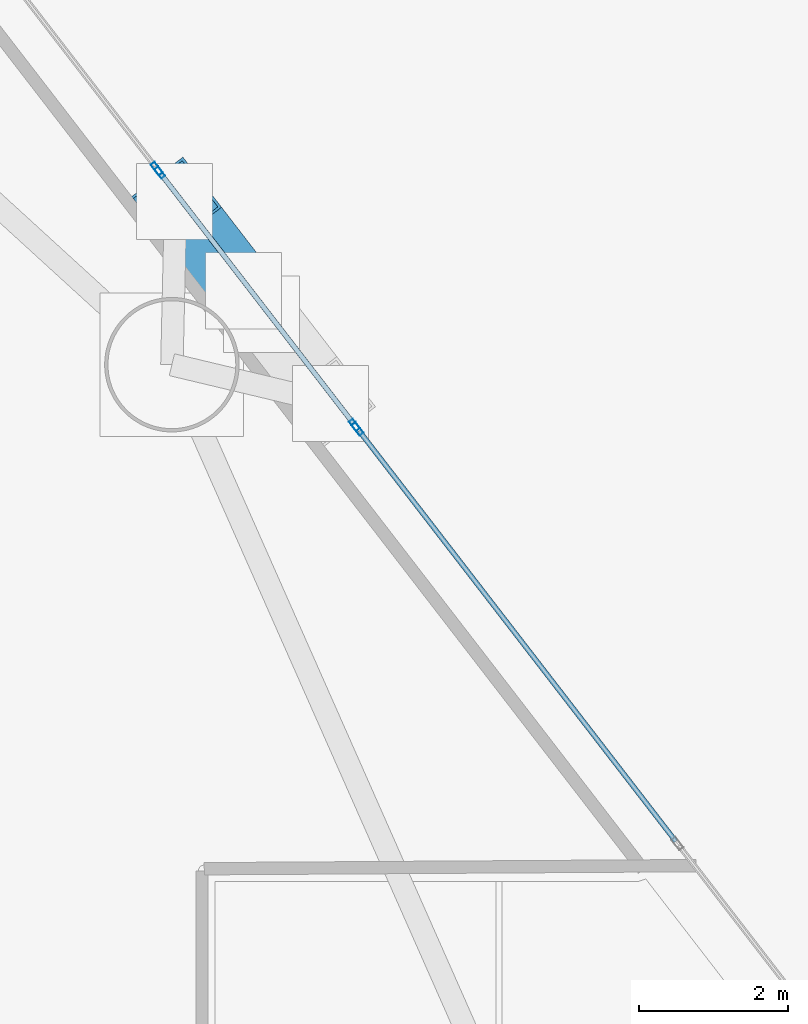
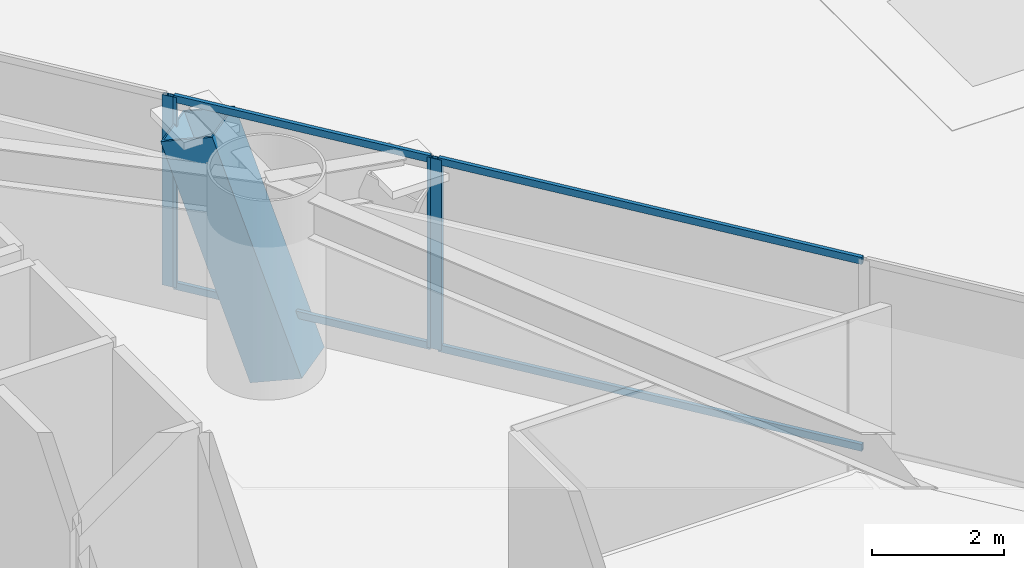
# One storey, part 13 of 22: 9 members, 3 elements without a shape of their own.
"""IFC4 building model written with IfcOpenShell, lengths in metres."""

from ifc_helpers import new_model, si_unit, direction, frame, origin, origin_2d, place, context, subcontext, project, spatial, hollow_rectangle, extrude, material, layer, layer_set, material_profile, profile_set, type_object, element, aggregate, save


model = new_model("IFC4")

# Units and contexts
model_context = context("Model", 3, precision=1e-05, world=origin(), true_north=direction((0.0, 1.0)))
body_context = subcontext(model_context, "Body", "Model", "MODEL_VIEW")
ifc_project = project(units=[si_unit("LENGTHUNIT", "METRE"), si_unit("AREAUNIT", "SQUARE_METRE"), si_unit("VOLUMEUNIT", "CUBIC_METRE"), si_unit("PLANEANGLEUNIT", "RADIAN"), si_unit("MASSUNIT", "GRAM", prefix="KILO")], contexts=[model_context])

# Site, building, storey
site_placement = place(None, origin())
site = spatial("IfcSite", under=ifc_project, at=site_placement, CompositionType="ELEMENT")
building_placement = place(site_placement, origin())
building = spatial("IfcBuilding", under=site, at=building_placement, Name="Qianvela Tower", CompositionType="ELEMENT")
storey_placement = place(building_placement, frame((0.0, 0.0, 25.699951171875)))
storey = spatial("IfcBuildingStorey", under=building, at=storey_placement, Name="L05", CompositionType="ELEMENT", Elevation=25.699951171875)

# Curtain wall, members
ifc_material_1 = material(Name="Anodised Architectural Aluminium and Insulated Spandrel Panel", Category="aluminium")
ifc_layer_1 = layer(ifc_material_1, 0.179931640625)
ifc_layer_set_1 = layer_set([ifc_layer_1], Name="Anodised Architectural Aluminium and Insulated Spandrel Panel")
curtain_wall_type_1 = type_object("IfcCurtainWallType", Name="CW-BRACEBAY", PredefinedType="USERDEFINED", material=ifc_layer_set_1)
curtain_wall_1_placement = place(storey_placement, origin())
curtain_wall_1 = element("IfcCurtainWall", 1, at=curtain_wall_1_placement, inside=storey, type_object=curtain_wall_type_1, Name="L05 CW-BRACEBAY Curtain Wall 02B", ObjectType="CURTAIN_WALL_SYSTEM", PredefinedType="USERDEFINED")
ifc_material_2 = material(Name="Anodised Architectural Aluminium 6063-T6", Category="aluminium")
ifc_material_profile_1 = material_profile(ifc_material_2, hollow_rectangle(XDim=0.06494140625, YDim=0.159912109375, WallThickness=0.0048828125, at=origin_2d()), Name="ALU-MULL-65x160")
ifc_profile_set_1 = profile_set([ifc_material_profile_1], Name="Anodised Architectural Aluminium 6063-T6")
member_type_1 = type_object("IfcMemberType", Name="CW-BRACEBAY-MULL", PredefinedType="MULLION", material=ifc_profile_set_1)
member_1_placement = place(storey_placement, frame((50.179443359375, 31.83154296875, 0.0), z_axis=(0.0, 0.0, 1.0), x_axis=(-0.791778426126, -0.610808418345, 0.0)))
member_1 = element("IfcMember", 2, at=member_1_placement, type_object=member_type_1, Name="CW-9 mullion 1", PredefinedType="MULLION", context=body_context, shape_type="SweptSolid", body=[
    extrude(hollow_rectangle(XDim=0.06494140625, YDim=0.159912109375, WallThickness=0.0048828125, at=origin_2d()), origin(), (0.0, 0.0, 1.0), 3.52001953125),
])
member_2_placement = place(storey_placement, frame((47.57421875, 35.20849609375, 0.0), z_axis=(0.0, 0.0, 1.0), x_axis=(-0.791778426126, -0.610808418345, 0.0)))
member_2 = element("IfcMember", 3, at=member_2_placement, type_object=member_type_1, Name="CW-9 mullion 2", PredefinedType="MULLION", context=body_context, shape_type="SweptSolid", body=[
    extrude(hollow_rectangle(XDim=0.06494140625, YDim=0.159912109375, WallThickness=0.0048828125, at=origin_2d()), origin(), (0.0, 0.0, 1.0), 3.52001953125),
])
ifc_material_3 = material(Name="Anodised Architectural Aluminium 6063-T6", Category="aluminium")
ifc_material_profile_2 = material_profile(ifc_material_3, hollow_rectangle(XDim=0.06494140625, YDim=0.1298828125, WallThickness=0.00439453125, at=origin_2d()), Name="ALU-TRAN-65x130")
ifc_profile_set_2 = profile_set([ifc_material_profile_2], Name="Anodised Architectural Aluminium 6063-T6")
member_type_2 = type_object("IfcMemberType", Name="CW-BRACEBAY-TRAN", PredefinedType="USERDEFINED", material=ifc_profile_set_2)
member_3_placement = place(storey_placement, frame((50.159423828125, 31.857177734375, 0.032470703125), z_axis=(-0.610816989814, 0.79177181369, 0.0), x_axis=(-0.79177181369, -0.610816989814, 0.0)))
member_3 = element("IfcMember", 4, at=member_3_placement, type_object=member_type_2, Name="CW-9 transom 1.1", ObjectType="TRANSOM", PredefinedType="USERDEFINED", context=body_context, shape_type="SweptSolid", body=[
    extrude(hollow_rectangle(XDim=0.06494140625, YDim=0.1298828125, WallThickness=0.00439453125, at=origin_2d()), origin(), (0.0, 0.0, 1.0), 4.199951171875),
])
member_4_placement = place(storey_placement, frame((50.159423828125, 31.857177734375, 3.487548828125), z_axis=(-0.610816989814, 0.79177181369, 0.0), x_axis=(-0.79177181369, -0.610816989814, 0.0)))
member_4 = element("IfcMember", 5, at=member_4_placement, type_object=member_type_2, Name="CW-9 transom 1.2", ObjectType="TRANSOM", PredefinedType="USERDEFINED", context=body_context, shape_type="SweptSolid", body=[
    extrude(hollow_rectangle(XDim=0.06494140625, YDim=0.1298828125, WallThickness=0.00439453125, at=origin_2d()), origin(), (0.0, 0.0, 1.0), 4.199951171875),
])
aggregate(curtain_wall_1, [member_1, member_2, member_3, member_4])

# Curtain wall, member
ifc_material_4 = material(Name="Anodised Architectural Aluminium and Low-E Glass", Category="aluminium")
ifc_layer_2 = layer(ifc_material_4, 0.179931640625)
ifc_layer_set_2 = layer_set([ifc_layer_2], Name="Anodised Architectural Aluminium and Low-E Glass")
curtain_wall_type_2 = type_object("IfcCurtainWallType", Name="CW-COLIV-Z12", PredefinedType="USERDEFINED", material=ifc_layer_set_2)
curtain_wall_2_placement = place(storey_placement, origin())
curtain_wall_2 = element("IfcCurtainWall", 6, at=curtain_wall_2_placement, inside=storey, type_object=curtain_wall_type_2, Name="L05 CW-COLIV-Z12 Curtain Wall 02A", ObjectType="CURTAIN_WALL_SYSTEM", PredefinedType="USERDEFINED")
ifc_material_5 = material(Name="Anodised Architectural Aluminium 6063-T6", Category="aluminium")
ifc_material_profile_3 = material_profile(ifc_material_5, hollow_rectangle(XDim=0.070068359375, YDim=0.179931640625, WallThickness=0.0048828125, at=origin_2d()), Name="ALU-MULL-70x180")
ifc_profile_set_3 = profile_set([ifc_material_profile_3], Name="Anodised Architectural Aluminium 6063-T6")
member_type_3 = type_object("IfcMemberType", Name="CW-COLIV-Z12-MULL", PredefinedType="MULLION", material=ifc_profile_set_3)
member_5_placement = place(storey_placement, frame((50.220458984375, 31.778076171875, 0.0), z_axis=(0.0, 0.0, 1.0), x_axis=(-0.791788928882, -0.610794803596, 0.0)))
member_5 = element("IfcMember", 7, at=member_5_placement, type_object=member_type_3, Name="CW-3 mullion 3", PredefinedType="MULLION", context=body_context, shape_type="SweptSolid", body=[
    extrude(hollow_rectangle(XDim=0.070068359375, YDim=0.179931640625, WallThickness=0.0048828125, at=origin_2d()), origin(), (0.0, 0.0, 1.0), 3.52001953125),
])

curtain_wall_3_placement = place(storey_placement, origin())
curtain_wall_3 = element("IfcCurtainWall", 8, at=curtain_wall_3_placement, inside=storey, type_object=curtain_wall_type_2, Name="L05 CW-COLIV-Z12 Curtain Wall 02C", ObjectType="CURTAIN_WALL_SYSTEM", PredefinedType="USERDEFINED")
member_6_placement = place(storey_placement, frame((47.532958984375, 35.261962890625, 0.0), z_axis=(0.0, 0.0, 1.0), x_axis=(-0.79178635967, -0.610798134117, 0.0)))
member_6 = element("IfcMember", 9, at=member_6_placement, type_object=member_type_3, Name="CW-3 mullion 1", PredefinedType="MULLION", context=body_context, shape_type="SweptSolid", body=[
    extrude(hollow_rectangle(XDim=0.070068359375, YDim=0.179931640625, WallThickness=0.0048828125, at=origin_2d()), origin(), (0.0, 0.0, 1.0), 3.52001953125),
])
aggregate(curtain_wall_3, [member_6])

# Member
ifc_material_6 = material(Name="Anodised Architectural Aluminium 6063-T6", Category="aluminium")
ifc_material_profile_4 = material_profile(ifc_material_6, hollow_rectangle(XDim=0.06494140625, YDim=0.1298828125, WallThickness=0.00439453125, at=origin_2d()), Name="ALU-TRAN-65x130")
ifc_profile_set_4 = profile_set([ifc_material_profile_4], Name="Anodised Architectural Aluminium 6063-T6")
member_type_4 = type_object("IfcMemberType", Name="CW-COLIV-Z12-TRAN", PredefinedType="USERDEFINED", material=ifc_profile_set_4)
member_7_placement = place(storey_placement, frame((54.477783203125, 26.25927734375, 0.032470703125), z_axis=(-0.610782014839, 0.791798794107, 0.0), x_axis=(-0.791798794107, -0.610782014839, 0.0)))
member_7 = element("IfcMember", 10, at=member_7_placement, type_object=member_type_4, Name="CW-3 transom 2.1", ObjectType="TRANSOM", PredefinedType="USERDEFINED", context=body_context, shape_type="SweptSolid", body=[
    extrude(hollow_rectangle(XDim=0.06494140625, YDim=0.1298828125, WallThickness=0.00439453125, at=origin_2d()), origin(), (0.0, 0.0, 1.0), 6.93505859375),
])

member_8_placement = place(storey_placement, frame((54.477783203125, 26.25927734375, 3.487548828125), z_axis=(-0.610782014839, 0.791798794107, 0.0), x_axis=(-0.791798794107, -0.610782014839, 0.0)))
member_8 = element("IfcMember", 11, at=member_8_placement, type_object=member_type_4, Name="CW-3 transom 2.2", ObjectType="TRANSOM", PredefinedType="USERDEFINED", context=body_context, shape_type="SweptSolid", body=[
    extrude(hollow_rectangle(XDim=0.06494140625, YDim=0.1298828125, WallThickness=0.00439453125, at=origin_2d()), origin(), (0.0, 0.0, 1.0), 6.93505859375),
])

aggregate(curtain_wall_2, [member_5, member_7, member_8])

ifc_material_7 = material(Name="Steel Q420GJC", Category="steel")
ifc_material_profile_5 = material_profile(ifc_material_7, hollow_rectangle(XDim=0.89990234375, YDim=0.89990234375, WallThickness=0.035888671875, at=origin_2d()), Name="MBOX-900x900x36")
ifc_profile_set_5 = profile_set([ifc_material_profile_5], Name="Steel Q420GJC")
member_type_5 = type_object("IfcMemberType", Name="MBR-MBRACE-900", PredefinedType="BRACE", material=ifc_profile_set_5)
member_9_placement = place(storey_placement, frame((48.680419921875, 33.6435546875, -0.90185546875), z_axis=(-0.206961774211, 0.268310955713, 0.940837953667), x_axis=(-0.791812173509, -0.610764669806, 0.0)))
element("IfcMember", 12, at=member_9_placement, inside=storey, type_object=member_type_5, Name="L05 Tier 1 Exterior Mega-Brace F1B", PredefinedType="BRACE", context=body_context, shape_type="SweptSolid", body=[
    extrude(hollow_rectangle(XDim=0.89990234375, YDim=0.89990234375, WallThickness=0.035888671875, at=origin_2d()), origin(), (0.0, 0.0, 1.0), 4.32568359375),
])

save(model, "model.ifc")
